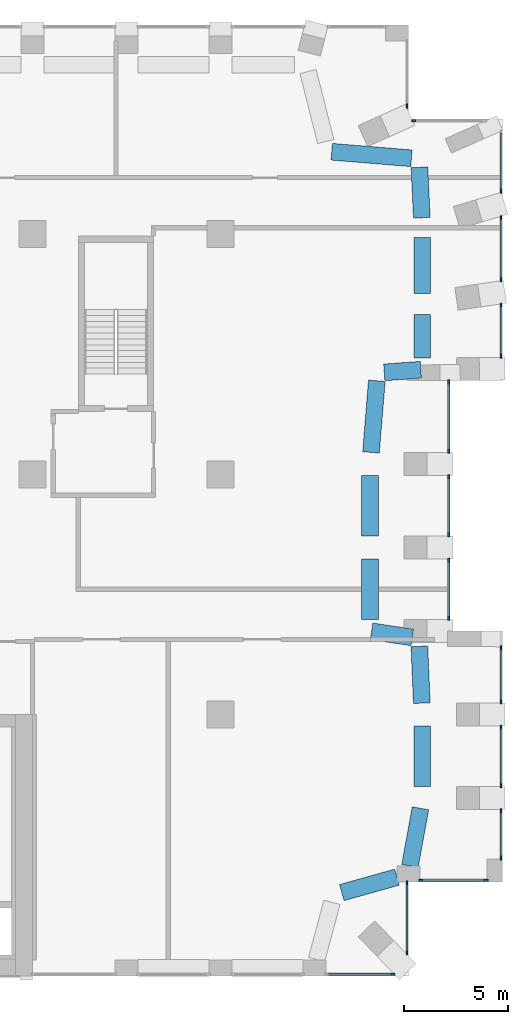
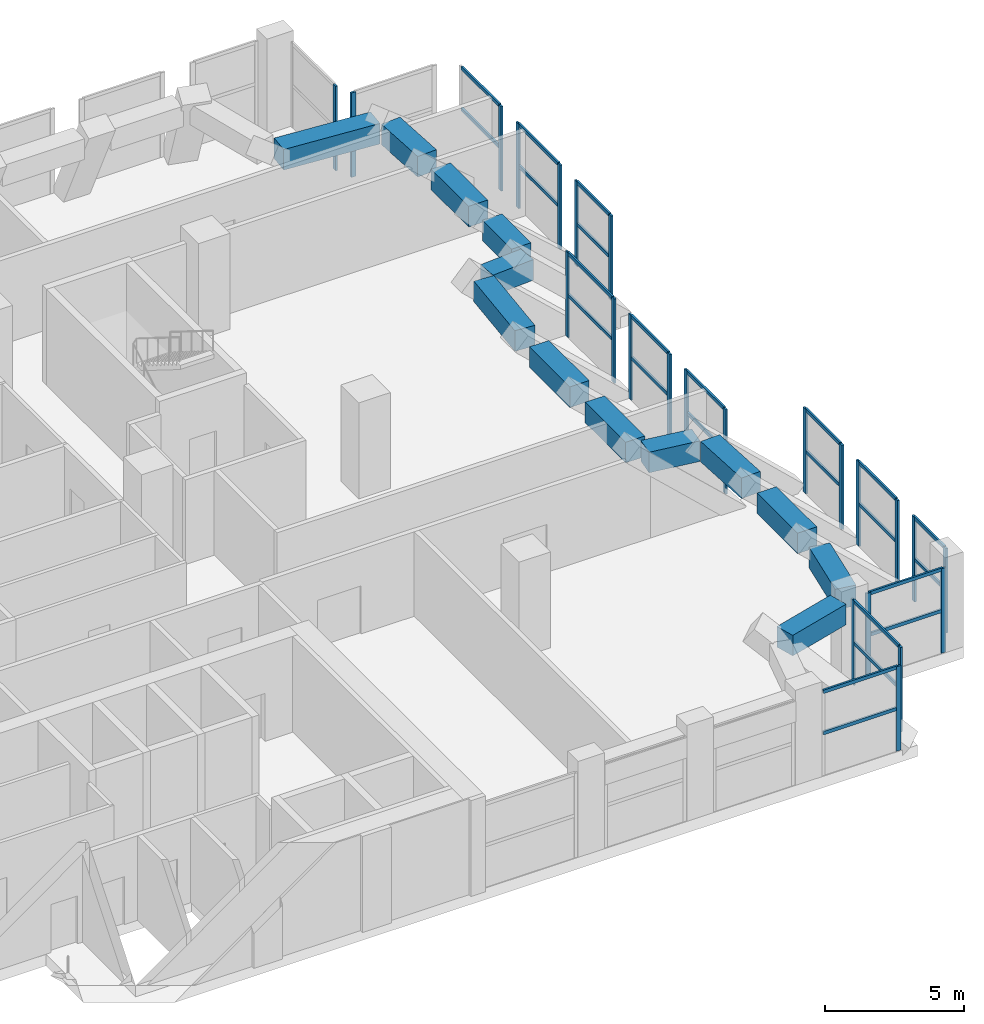
# One storey, part 10 of 20: 48 members, 13 beams, 14 elements without a shape of their own.
"""IFC4 building model written with IfcOpenShell, lengths in metres."""

from ifc_helpers import new_model, si_unit, direction, frame, origin, origin_2d, place, context, subcontext, project, spatial, rectangle, extrude, material, layer, layer_set, material_profile, profile_set, type_object, element, aggregate, save


model = new_model("IFC4")

# Units and contexts
model_context = context("Model", 3, precision=1e-05, world=origin(), true_north=direction((0.0, 1.0)))
body_context = subcontext(model_context, "Body", "Model", "MODEL_VIEW")
ifc_project = project(units=[si_unit("LENGTHUNIT", "METRE"), si_unit("AREAUNIT", "SQUARE_METRE"), si_unit("VOLUMEUNIT", "CUBIC_METRE"), si_unit("PLANEANGLEUNIT", "RADIAN"), si_unit("MASSUNIT", "GRAM", prefix="KILO")], contexts=[model_context])

# Site, building, storey
site_placement = place(None, origin())
site = spatial("IfcSite", under=ifc_project, at=site_placement, CompositionType="ELEMENT")
building_placement = place(site_placement, origin())
building = spatial("IfcBuilding", under=site, at=building_placement, Name="Brigalow Station Residences", CompositionType="ELEMENT")
storey_placement = place(building_placement, frame((0.0, 0.0, 137.10009765625)))
storey = spatial("IfcBuildingStorey", under=building, at=storey_placement, Name="L39", CompositionType="ELEMENT", Elevation=137.10009765625)

# Beams
ifc_material_1 = material(Name="Concrete C65", Category="concrete")
ifc_material_profile_1 = material_profile(ifc_material_1, rectangle(XDim=0.800048828125, YDim=0.89990234375, at=origin_2d()), Name="RC800x900")
ifc_profile_set_1 = profile_set([ifc_material_profile_1], Name="Concrete C65")
beam_type = type_object("IfcBeamType", Name="KINK TIE BEAM 800x900 C65", PredefinedType="BEAM", material=ifc_profile_set_1)
beam_1_placement = place(storey_placement, frame((68.80908203125, 3.982666015625, 3.25), z_axis=(0.963050887416, 0.269319491027, 0.0), x_axis=(-0.269319491027, 0.963050887416, 0.0)))
element("IfcBeam", 1, at=beam_1_placement, inside=storey, type_object=beam_type, Name="KINK TIE BEAM 5 L39", PredefinedType="BEAM", context=body_context, shape_type="SweptSolid", body=[
    extrude(rectangle(XDim=0.800048828125, YDim=0.89990234375, at=origin_2d()), origin(), (0.0, 0.0, 1.0), 2.7421875),
])
beam_2_placement = place(storey_placement, frame((72.06982421875, 5.2578125, 3.25), z_axis=(0.179696708888, 0.983722060754, 0.0), x_axis=(-0.983722060754, 0.179696708888, 0.0)))
element("IfcBeam", 2, at=beam_2_placement, inside=storey, type_object=beam_type, Name="KINK TIE BEAM 6 L39", PredefinedType="BEAM", context=body_context, shape_type="SweptSolid", body=[
    extrude(rectangle(XDim=0.800048828125, YDim=0.89990234375, at=origin_2d()), origin(), (0.0, 0.0, 1.0), 2.806884765625),
])
beam_3_placement = place(storey_placement, frame((72.662109375, 9.050048828125, 3.25), z_axis=(0.0, 1.0, 0.0), x_axis=(-1.0, 0.0, 0.0)))
element("IfcBeam", 3, at=beam_3_placement, inside=storey, type_object=beam_type, Name="KINK TIE BEAM 7 L39", PredefinedType="BEAM", context=body_context, shape_type="SweptSolid", body=[
    extrude(rectangle(XDim=0.800048828125, YDim=0.89990234375, at=origin_2d()), origin(), (0.0, 0.0, 1.0), 2.89990234375),
])
beam_4_placement = place(storey_placement, frame((72.638671875, 13.050048828125, 3.25), z_axis=(-0.042608065668, 0.999091864015, 0.0), x_axis=(-0.999091864015, -0.042608065668, 0.0)))
element("IfcBeam", 4, at=beam_4_placement, inside=storey, type_object=beam_type, Name="KINK TIE BEAM 8 L39", PredefinedType="BEAM", context=body_context, shape_type="SweptSolid", body=[
    extrude(rectangle(XDim=0.800048828125, YDim=0.89990234375, at=origin_2d()), origin(), (0.0, 0.0, 1.0), 2.7216796875),
])
beam_5_placement = place(storey_placement, frame((72.182373046875, 16.193603515625, 3.25), z_axis=(-0.988693244226, 0.149952221799, 0.0), x_axis=(-0.149952221799, -0.988693244226, 0.0)))
element("IfcBeam", 5, at=beam_5_placement, inside=storey, type_object=beam_type, Name="KINK TIE BEAM 9 L39", PredefinedType="BEAM", context=body_context, shape_type="SweptSolid", body=[
    extrude(rectangle(XDim=0.800048828125, YDim=0.89990234375, at=origin_2d()), origin(), (0.0, 0.0, 1.0), 1.969970703125),
])
for number, where, z_axis, x_axis, name in (
    (6, (70.162109375, 17.050048828125, 3.25), (0.0, 1.0, 0.0), (-1.0, 0.0, 0.0), "KINK TIE BEAM 10 L39"),
    (7, (70.162109375, 21.050048828125, 3.25), (0.0, 1.0, 0.0), (-1.0, 0.0, 0.0), "KINK TIE BEAM 11 L39"),
):
    element("IfcBeam", number, at=place(storey_placement, frame(where, z_axis=z_axis, x_axis=x_axis)), inside=storey, type_object=beam_type, Name=name, PredefinedType="BEAM", context=body_context, shape_type="SweptSolid", body=[
        extrude(rectangle(XDim=0.800048828125, YDim=0.89990234375, at=origin_2d()), origin(), (0.0, 0.0, 1.0), 2.89990234375),
    ])
beam_6_placement = place(storey_placement, frame((70.20703125, 25.050048828125, 3.25), z_axis=(0.081431034628, 0.996678978709, 0.0), x_axis=(-0.996678978709, 0.081431034628, 0.0)))
element("IfcBeam", 8, at=beam_6_placement, inside=storey, type_object=beam_type, Name="KINK TIE BEAM 12 L39", PredefinedType="BEAM", context=body_context, shape_type="SweptSolid", body=[
    extrude(rectangle(XDim=0.800048828125, YDim=0.89990234375, at=origin_2d()), origin(), (0.0, 0.0, 1.0), 3.44189453125),
])
beam_7_placement = place(storey_placement, frame((70.841552734375, 28.879150390625, 3.25), z_axis=(0.997375496086, 0.072402484807, 0.0), x_axis=(-0.072402484807, 0.997375496086, 0.0)))
element("IfcBeam", 9, at=beam_7_placement, inside=storey, type_object=beam_type, Name="KINK TIE BEAM 13 L39", PredefinedType="BEAM", context=body_context, shape_type="SweptSolid", body=[
    extrude(rectangle(XDim=0.800048828125, YDim=0.89990234375, at=origin_2d()), origin(), (0.0, 0.0, 1.0), 1.7568359375),
])
beam_8_placement = place(storey_placement, frame((72.662109375, 29.561279296875, 3.25), z_axis=(0.0, 1.0, 0.0), x_axis=(-1.0, 0.0, 0.0)))
element("IfcBeam", 10, at=beam_8_placement, inside=storey, type_object=beam_type, Name="KINK TIE BEAM 14 L39", PredefinedType="BEAM", context=body_context, shape_type="SweptSolid", body=[
    extrude(rectangle(XDim=0.800048828125, YDim=0.89990234375, at=origin_2d()), origin(), (0.0, 0.0, 1.0), 2.09130859375),
])
beam_9_placement = place(storey_placement, frame((72.662109375, 32.64599609375, 3.25), z_axis=(0.0, 1.0, 0.0), x_axis=(-1.0, 0.0, 0.0)))
element("IfcBeam", 11, at=beam_9_placement, inside=storey, type_object=beam_type, Name="KINK TIE BEAM 15 L39", PredefinedType="BEAM", context=body_context, shape_type="SweptSolid", body=[
    extrude(rectangle(XDim=0.800048828125, YDim=0.89990234375, at=origin_2d()), origin(), (0.0, 0.0, 1.0), 2.691650390625),
])
beam_10_placement = place(storey_placement, frame((72.6396484375, 36.277099609375, 3.25), z_axis=(-0.047205722328, 0.998885188487, 0.0), x_axis=(-0.998885188487, -0.047205722328, 0.0)))
element("IfcBeam", 12, at=beam_10_placement, inside=storey, type_object=beam_type, Name="KINK TIE BEAM 16 L39", PredefinedType="BEAM", context=body_context, shape_type="SweptSolid", body=[
    extrude(rectangle(XDim=0.800048828125, YDim=0.89990234375, at=origin_2d()), origin(), (0.0, 0.0, 1.0), 2.42041015625),
])
beam_11_placement = place(storey_placement, frame((72.142822265625, 39.12646484375, 3.25), z_axis=(-0.99666696447, 0.081577950055, 0.0), x_axis=(-0.081577950055, -0.99666696447, 0.0)))
element("IfcBeam", 13, at=beam_11_placement, inside=storey, type_object=beam_type, Name="KINK TIE BEAM 17 L39", PredefinedType="BEAM", context=body_context, shape_type="SweptSolid", body=[
    extrude(rectangle(XDim=0.800048828125, YDim=0.89990234375, at=origin_2d()), origin(), (0.0, 0.0, 1.0), 3.82763671875),
])

# Curtain wall, member
ifc_material_2 = material(Name="Aluminium", Category="aluminium")
ifc_layer = layer(ifc_material_2, 0.199951171875)
ifc_layer_set = layer_set([ifc_layer], Name="REFUGE FLOOR LOUVRE CURTAIN WALL")
curtain_wall_type = type_object("IfcCurtainWallType", Name="REFUGE FLOOR LOUVRE CURTAIN WALL", PredefinedType="NOTDEFINED", material=ifc_layer_set)
curtain_wall_1_placement = place(storey_placement, origin())
curtain_wall_1 = element("IfcCurtainWall", 14, at=curtain_wall_1_placement, inside=storey, type_object=curtain_wall_type, Name="L39/cw/louvre-W-L39-4-6", PredefinedType="NOTDEFINED")
ifc_material_3 = material(Name="Aluminium", Category="aluminium")
ifc_material_profile_2 = material_profile(ifc_material_3, rectangle(XDim=0.080078125, YDim=0.199951171875, at=origin_2d()), Name="REFUGE FLOOR LOUVRE MULLION 80x200")
ifc_profile_set_2 = profile_set([ifc_material_profile_2], Name="Aluminium")
member_type_1 = type_object("IfcMemberType", Name="REFUGE FLOOR LOUVRE MULLION 80x200", PredefinedType="MULLION", material=ifc_profile_set_2)
member_1_placement = place(storey_placement, frame((71.2509765625, 0.074951171875, 0.0), z_axis=(0.0, 0.0, 1.0), x_axis=(0.0, 1.0, 0.0)))
member_1 = element("IfcMember", 15, at=member_1_placement, type_object=member_type_1, Name="L39/cw/louvre-W-L39-4-6/M01", PredefinedType="MULLION", context=body_context, shape_type="SweptSolid", body=[
    extrude(rectangle(XDim=0.080078125, YDim=0.199951171875, at=origin_2d()), origin(), (0.0, 0.0, 1.0), 3.699951171875),
])

# Curtain wall, members
curtain_wall_2_placement = place(storey_placement, origin())
curtain_wall_2 = element("IfcCurtainWall", 16, at=curtain_wall_2_placement, inside=storey, type_object=curtain_wall_type, Name="L39/cw/louvre-W-L39-8-7", PredefinedType="NOTDEFINED")
member_2_placement = place(storey_placement, frame((71.925048828125, 1.1005859375, 0.0), z_axis=(0.0, 0.0, 1.0), x_axis=(-1.0, 0.0, 0.0)))
member_2 = element("IfcMember", 17, at=member_2_placement, type_object=member_type_1, Name="L39/cw/louvre-W-L39-8-7/M00", PredefinedType="MULLION", context=body_context, shape_type="SweptSolid", body=[
    extrude(rectangle(XDim=0.080078125, YDim=0.199951171875, at=origin_2d()), origin(), (0.0, 0.0, 1.0), 3.699951171875),
])
member_3_placement = place(storey_placement, frame((71.925048828125, 4.4599609375, 0.0), z_axis=(0.0, 0.0, 1.0), x_axis=(-1.0, 0.0, 0.0)))
member_3 = element("IfcMember", 18, at=member_3_placement, type_object=member_type_1, Name="L39/cw/louvre-W-L39-8-7/M01", PredefinedType="MULLION", context=body_context, shape_type="SweptSolid", body=[
    extrude(rectangle(XDim=0.080078125, YDim=0.199951171875, at=origin_2d()), origin(), (0.0, 0.0, 1.0), 3.699951171875),
])

curtain_wall_3_placement = place(storey_placement, origin())
curtain_wall_3 = element("IfcCurtainWall", 19, at=curtain_wall_3_placement, inside=storey, type_object=curtain_wall_type, Name="L39/cw/louvre-W-L39-9-8", PredefinedType="NOTDEFINED")
member_4_placement = place(storey_placement, frame((72.590087890625, 4.574951171875, 0.0), z_axis=(0.0, 0.0, 1.0), x_axis=(0.0, 1.0, 0.0)))
member_4 = element("IfcMember", 20, at=member_4_placement, type_object=member_type_1, Name="L39/cw/louvre-W-L39-9-8/M00", PredefinedType="MULLION", context=body_context, shape_type="SweptSolid", body=[
    extrude(rectangle(XDim=0.080078125, YDim=0.199951171875, at=origin_2d()), origin(), (0.0, 0.0, 1.0), 3.699951171875),
])
member_5_placement = place(storey_placement, frame((75.7099609375, 4.574951171875, 0.0), z_axis=(0.0, 0.0, 1.0), x_axis=(0.0, 1.0, 0.0)))
member_5 = element("IfcMember", 21, at=member_5_placement, type_object=member_type_1, Name="L39/cw/louvre-W-L39-9-8/M01", PredefinedType="MULLION", context=body_context, shape_type="SweptSolid", body=[
    extrude(rectangle(XDim=0.080078125, YDim=0.199951171875, at=origin_2d()), origin(), (0.0, 0.0, 1.0), 3.699951171875),
])

curtain_wall_4_placement = place(storey_placement, origin())
curtain_wall_4 = element("IfcCurtainWall", 22, at=curtain_wall_4_placement, inside=storey, type_object=curtain_wall_type, Name="L39/cw/louvre-W-L39-10-9", PredefinedType="NOTDEFINED")
member_6_placement = place(storey_placement, frame((76.425048828125, 5.639892578125, 0.0), z_axis=(0.0, 0.0, 1.0), x_axis=(-1.0, 0.0, 0.0)))
member_6 = element("IfcMember", 23, at=member_6_placement, type_object=member_type_1, Name="L39/cw/louvre-W-L39-10-9/M00", PredefinedType="MULLION", context=body_context, shape_type="SweptSolid", body=[
    extrude(rectangle(XDim=0.080078125, YDim=0.199951171875, at=origin_2d()), origin(), (0.0, 0.0, 1.0), 3.699951171875),
])
member_7_placement = place(storey_placement, frame((76.425048828125, 7.889892578125, 0.0), z_axis=(0.0, 0.0, 1.0), x_axis=(-1.0, 0.0, 0.0)))
member_7 = element("IfcMember", 24, at=member_7_placement, type_object=member_type_1, Name="L39/cw/louvre-W-L39-10-9/M01", PredefinedType="MULLION", context=body_context, shape_type="SweptSolid", body=[
    extrude(rectangle(XDim=0.080078125, YDim=0.199951171875, at=origin_2d()), origin(), (0.0, 0.0, 1.0), 3.699951171875),
])

curtain_wall_5_placement = place(storey_placement, origin())
curtain_wall_5 = element("IfcCurtainWall", 25, at=curtain_wall_5_placement, inside=storey, type_object=curtain_wall_type, Name="L39/cw/louvre-W-L39-10-10", PredefinedType="NOTDEFINED")
member_8_placement = place(storey_placement, frame((76.425048828125, 9.110107421875, 0.0), z_axis=(0.0, 0.0, 1.0), x_axis=(-1.0, 0.0, 0.0)))
member_8 = element("IfcMember", 26, at=member_8_placement, type_object=member_type_1, Name="L39/cw/louvre-W-L39-10-10/M00", PredefinedType="MULLION", context=body_context, shape_type="SweptSolid", body=[
    extrude(rectangle(XDim=0.080078125, YDim=0.199951171875, at=origin_2d()), origin(), (0.0, 0.0, 1.0), 3.699951171875),
])
member_9_placement = place(storey_placement, frame((76.425048828125, 11.889892578125, 0.0), z_axis=(0.0, 0.0, 1.0), x_axis=(-1.0, 0.0, 0.0)))
member_9 = element("IfcMember", 27, at=member_9_placement, type_object=member_type_1, Name="L39/cw/louvre-W-L39-10-10/M01", PredefinedType="MULLION", context=body_context, shape_type="SweptSolid", body=[
    extrude(rectangle(XDim=0.080078125, YDim=0.199951171875, at=origin_2d()), origin(), (0.0, 0.0, 1.0), 3.699951171875),
])

curtain_wall_6_placement = place(storey_placement, origin())
curtain_wall_6 = element("IfcCurtainWall", 28, at=curtain_wall_6_placement, inside=storey, type_object=curtain_wall_type, Name="L39/cw/louvre-W-L39-10-11", PredefinedType="NOTDEFINED")
member_10_placement = place(storey_placement, frame((76.425048828125, 13.110107421875, 0.0), z_axis=(0.0, 0.0, 1.0), x_axis=(-1.0, 0.0, 0.0)))
member_10 = element("IfcMember", 29, at=member_10_placement, type_object=member_type_1, Name="L39/cw/louvre-W-L39-10-11/M00", PredefinedType="MULLION", context=body_context, shape_type="SweptSolid", body=[
    extrude(rectangle(XDim=0.080078125, YDim=0.199951171875, at=origin_2d()), origin(), (0.0, 0.0, 1.0), 3.699951171875),
])
member_11_placement = place(storey_placement, frame((76.425048828125, 15.687255859375, 0.0), z_axis=(0.0, 0.0, 1.0), x_axis=(-1.0, 0.0, 0.0)))
member_11 = element("IfcMember", 30, at=member_11_placement, type_object=member_type_1, Name="L39/cw/louvre-W-L39-10-11/M01", PredefinedType="MULLION", context=body_context, shape_type="SweptSolid", body=[
    extrude(rectangle(XDim=0.080078125, YDim=0.199951171875, at=origin_2d()), origin(), (0.0, 0.0, 1.0), 3.699951171875),
])

curtain_wall_7_placement = place(storey_placement, origin())
curtain_wall_7 = element("IfcCurtainWall", 31, at=curtain_wall_7_placement, inside=storey, type_object=curtain_wall_type, Name="L39/cw/louvre-W-L39-14-12", PredefinedType="NOTDEFINED")
member_12_placement = place(storey_placement, frame((73.925048828125, 17.110107421875, 0.0), z_axis=(0.0, 0.0, 1.0), x_axis=(-1.0, 0.0, 0.0)))
member_12 = element("IfcMember", 32, at=member_12_placement, type_object=member_type_1, Name="L39/cw/louvre-W-L39-14-12/M00", PredefinedType="MULLION", context=body_context, shape_type="SweptSolid", body=[
    extrude(rectangle(XDim=0.080078125, YDim=0.199951171875, at=origin_2d()), origin(), (0.0, 0.0, 1.0), 3.699951171875),
])
member_13_placement = place(storey_placement, frame((73.925048828125, 19.889892578125, 0.0), z_axis=(0.0, 0.0, 1.0), x_axis=(-1.0, 0.0, 0.0)))
member_13 = element("IfcMember", 33, at=member_13_placement, type_object=member_type_1, Name="L39/cw/louvre-W-L39-14-12/M01", PredefinedType="MULLION", context=body_context, shape_type="SweptSolid", body=[
    extrude(rectangle(XDim=0.080078125, YDim=0.199951171875, at=origin_2d()), origin(), (0.0, 0.0, 1.0), 3.699951171875),
])

curtain_wall_8_placement = place(storey_placement, origin())
curtain_wall_8 = element("IfcCurtainWall", 34, at=curtain_wall_8_placement, inside=storey, type_object=curtain_wall_type, Name="L39/cw/louvre-W-L39-14-13", PredefinedType="NOTDEFINED")
member_14_placement = place(storey_placement, frame((73.925048828125, 21.110107421875, 0.0), z_axis=(0.0, 0.0, 1.0), x_axis=(-1.0, 0.0, 0.0)))
member_14 = element("IfcMember", 35, at=member_14_placement, type_object=member_type_1, Name="L39/cw/louvre-W-L39-14-13/M00", PredefinedType="MULLION", context=body_context, shape_type="SweptSolid", body=[
    extrude(rectangle(XDim=0.080078125, YDim=0.199951171875, at=origin_2d()), origin(), (0.0, 0.0, 1.0), 3.699951171875),
])
member_15_placement = place(storey_placement, frame((73.925048828125, 23.889892578125, 0.0), z_axis=(0.0, 0.0, 1.0), x_axis=(-1.0, 0.0, 0.0)))
member_15 = element("IfcMember", 36, at=member_15_placement, type_object=member_type_1, Name="L39/cw/louvre-W-L39-14-13/M01", PredefinedType="MULLION", context=body_context, shape_type="SweptSolid", body=[
    extrude(rectangle(XDim=0.080078125, YDim=0.199951171875, at=origin_2d()), origin(), (0.0, 0.0, 1.0), 3.699951171875),
])

curtain_wall_9_placement = place(storey_placement, origin())
curtain_wall_9 = element("IfcCurtainWall", 37, at=curtain_wall_9_placement, inside=storey, type_object=curtain_wall_type, Name="L39/cw/louvre-W-L39-14-14", PredefinedType="NOTDEFINED")
member_16_placement = place(storey_placement, frame((73.925048828125, 25.110107421875, 0.0), z_axis=(0.0, 0.0, 1.0), x_axis=(-1.0, 0.0, 0.0)))
member_16 = element("IfcMember", 38, at=member_16_placement, type_object=member_type_1, Name="L39/cw/louvre-W-L39-14-14/M00", PredefinedType="MULLION", context=body_context, shape_type="SweptSolid", body=[
    extrude(rectangle(XDim=0.080078125, YDim=0.199951171875, at=origin_2d()), origin(), (0.0, 0.0, 1.0), 3.699951171875),
])
member_17_placement = place(storey_placement, frame((73.925048828125, 28.415283203125, 0.0), z_axis=(0.0, 0.0, 1.0), x_axis=(-1.0, 0.0, 0.0)))
member_17 = element("IfcMember", 39, at=member_17_placement, type_object=member_type_1, Name="L39/cw/louvre-W-L39-14-14/M01", PredefinedType="MULLION", context=body_context, shape_type="SweptSolid", body=[
    extrude(rectangle(XDim=0.080078125, YDim=0.199951171875, at=origin_2d()), origin(), (0.0, 0.0, 1.0), 3.699951171875),
])

curtain_wall_10_placement = place(storey_placement, origin())
curtain_wall_10 = element("IfcCurtainWall", 40, at=curtain_wall_10_placement, inside=storey, type_object=curtain_wall_type, Name="L39/cw/louvre-W-L39-18-15", PredefinedType="NOTDEFINED")
member_18_placement = place(storey_placement, frame((76.425048828125, 29.663330078125, 0.0), z_axis=(0.0, 0.0, 1.0), x_axis=(-1.0, 0.0, 0.0)))
member_18 = element("IfcMember", 41, at=member_18_placement, type_object=member_type_1, Name="L39/cw/louvre-W-L39-18-15/M00", PredefinedType="MULLION", context=body_context, shape_type="SweptSolid", body=[
    extrude(rectangle(XDim=0.080078125, YDim=0.199951171875, at=origin_2d()), origin(), (0.0, 0.0, 1.0), 3.699951171875),
])
member_19_placement = place(storey_placement, frame((76.425048828125, 32.095458984375, 0.0), z_axis=(0.0, 0.0, 1.0), x_axis=(-1.0, 0.0, 0.0)))
member_19 = element("IfcMember", 42, at=member_19_placement, type_object=member_type_1, Name="L39/cw/louvre-W-L39-18-15/M01", PredefinedType="MULLION", context=body_context, shape_type="SweptSolid", body=[
    extrude(rectangle(XDim=0.080078125, YDim=0.199951171875, at=origin_2d()), origin(), (0.0, 0.0, 1.0), 3.699951171875),
])

curtain_wall_11_placement = place(storey_placement, origin())
curtain_wall_11 = element("IfcCurtainWall", 43, at=curtain_wall_11_placement, inside=storey, type_object=curtain_wall_type, Name="L39/cw/louvre-W-L39-18-16", PredefinedType="NOTDEFINED")
member_20_placement = place(storey_placement, frame((76.425048828125, 33.327880859375, 0.0), z_axis=(0.0, 0.0, 1.0), x_axis=(-1.0, 0.0, 0.0)))
member_20 = element("IfcMember", 44, at=member_20_placement, type_object=member_type_1, Name="L39/cw/louvre-W-L39-18-16/M00", PredefinedType="MULLION", context=body_context, shape_type="SweptSolid", body=[
    extrude(rectangle(XDim=0.080078125, YDim=0.199951171875, at=origin_2d()), origin(), (0.0, 0.0, 1.0), 3.699951171875),
])
member_21_placement = place(storey_placement, frame((76.425048828125, 36.28759765625, 0.0), z_axis=(0.0, 0.0, 1.0), x_axis=(-1.0, 0.0, 0.0)))
member_21 = element("IfcMember", 45, at=member_21_placement, type_object=member_type_1, Name="L39/cw/louvre-W-L39-18-16/M01", PredefinedType="MULLION", context=body_context, shape_type="SweptSolid", body=[
    extrude(rectangle(XDim=0.080078125, YDim=0.199951171875, at=origin_2d()), origin(), (0.0, 0.0, 1.0), 3.699951171875),
])

# Curtain wall, member
curtain_wall_12_placement = place(storey_placement, origin())
curtain_wall_12 = element("IfcCurtainWall", 46, at=curtain_wall_12_placement, inside=storey, type_object=curtain_wall_type, Name="L39/cw/louvre-W-L39-18-17", PredefinedType="NOTDEFINED")
member_22_placement = place(storey_placement, frame((76.425048828125, 37.55712890625, 0.0), z_axis=(0.0, 0.0, 1.0), x_axis=(-1.0, 0.0, 0.0)))
member_22 = element("IfcMember", 47, at=member_22_placement, type_object=member_type_1, Name="L39/cw/louvre-W-L39-18-17/M00", PredefinedType="MULLION", context=body_context, shape_type="SweptSolid", body=[
    extrude(rectangle(XDim=0.080078125, YDim=0.199951171875, at=origin_2d()), origin(), (0.0, 0.0, 1.0), 3.699951171875),
])

curtain_wall_13_placement = place(storey_placement, origin())
curtain_wall_13 = element("IfcCurtainWall", 48, at=curtain_wall_13_placement, inside=storey, type_object=curtain_wall_type, Name="L39/cw/louvre-W-L39-21-18", PredefinedType="NOTDEFINED")
member_23_placement = place(storey_placement, frame((72.26025390625, 40.925048828125, 0.0), z_axis=(0.0, 0.0, 1.0), x_axis=(0.0, -1.0, 0.0)))
member_23 = element("IfcMember", 49, at=member_23_placement, type_object=member_type_1, Name="L39/cw/louvre-W-L39-21-18/M01", PredefinedType="MULLION", context=body_context, shape_type="SweptSolid", body=[
    extrude(rectangle(XDim=0.080078125, YDim=0.199951171875, at=origin_2d()), origin(), (0.0, 0.0, 1.0), 3.699951171875),
])
aggregate(curtain_wall_13, [member_23])

curtain_wall_14_placement = place(storey_placement, origin())
curtain_wall_14 = element("IfcCurtainWall", 50, at=curtain_wall_14_placement, inside=storey, type_object=curtain_wall_type, Name="L39/cw/louvre-W-L39-22-19", PredefinedType="NOTDEFINED")
member_24_placement = place(storey_placement, frame((71.925048828125, 41.62548828125, 0.0), z_axis=(0.0, 0.0, 1.0), x_axis=(-1.0, 0.0, 0.0)))
member_24 = element("IfcMember", 51, at=member_24_placement, type_object=member_type_1, Name="L39/cw/louvre-W-L39-22-19/M00", PredefinedType="MULLION", context=body_context, shape_type="SweptSolid", body=[
    extrude(rectangle(XDim=0.080078125, YDim=0.199951171875, at=origin_2d()), origin(), (0.0, 0.0, 1.0), 3.699951171875),
])
aggregate(curtain_wall_14, [member_24])

# Member
ifc_material_4 = material(Name="Aluminium", Category="aluminium")
ifc_material_profile_3 = material_profile(ifc_material_4, rectangle(XDim=0.080078125, YDim=0.14990234375, at=origin_2d()), Name="REFUGE FLOOR LOUVRE TRANSOM 80x150")
ifc_profile_set_3 = profile_set([ifc_material_profile_3], Name="Aluminium")
member_type_2 = type_object("IfcMemberType", Name="REFUGE FLOOR LOUVRE TRANSOM 80x150", PredefinedType="USERDEFINED", material=ifc_profile_set_3)
member_25_placement = place(storey_placement, frame((68.1298828125, 0.074951171875, 1.849853515625), z_axis=(1.0, 0.0, 0.0), x_axis=(0.0, 1.0, 0.0)))
member_25 = element("IfcMember", 52, at=member_25_placement, type_object=member_type_2, Name="L39/cw/louvre-W-L39-4-6/T00-00", ObjectType="TRANSOM", PredefinedType="USERDEFINED", context=body_context, shape_type="SweptSolid", body=[
    extrude(rectangle(XDim=0.080078125, YDim=0.14990234375, at=origin_2d()), origin(), (0.0, 0.0, 1.0), 3.0810546875),
])

member_26_placement = place(storey_placement, frame((68.1298828125, 0.074951171875, 3.659912109375), z_axis=(1.0, 0.0, 0.0), x_axis=(0.0, 1.0, 0.0)))
member_26 = element("IfcMember", 53, at=member_26_placement, type_object=member_type_2, Name="L39/cw/louvre-W-L39-4-6/T00-01", ObjectType="TRANSOM", PredefinedType="USERDEFINED", context=body_context, shape_type="SweptSolid", body=[
    extrude(rectangle(XDim=0.080078125, YDim=0.14990234375, at=origin_2d()), origin(), (0.0, 0.0, 1.0), 3.0810546875),
])

aggregate(curtain_wall_1, [member_1, member_25, member_26])

member_27_placement = place(storey_placement, frame((71.925048828125, 1.140625, 1.849853515625), z_axis=(0.0, 1.0, 0.0), x_axis=(-1.0, 0.0, 0.0)))
member_27 = element("IfcMember", 54, at=member_27_placement, type_object=member_type_2, Name="L39/cw/louvre-W-L39-8-7/T00-00", ObjectType="TRANSOM", PredefinedType="USERDEFINED", context=body_context, shape_type="SweptSolid", body=[
    extrude(rectangle(XDim=0.080078125, YDim=0.14990234375, at=origin_2d()), origin(), (0.0, 0.0, 1.0), 3.279296875),
])

member_28_placement = place(storey_placement, frame((71.925048828125, 1.140625, 3.659912109375), z_axis=(0.0, 1.0, 0.0), x_axis=(-1.0, 0.0, 0.0)))
member_28 = element("IfcMember", 55, at=member_28_placement, type_object=member_type_2, Name="L39/cw/louvre-W-L39-8-7/T00-01", ObjectType="TRANSOM", PredefinedType="USERDEFINED", context=body_context, shape_type="SweptSolid", body=[
    extrude(rectangle(XDim=0.080078125, YDim=0.14990234375, at=origin_2d()), origin(), (0.0, 0.0, 1.0), 3.279296875),
])

aggregate(curtain_wall_2, [member_2, member_3, member_27, member_28])

member_29_placement = place(storey_placement, frame((72.6298828125, 4.574951171875, 1.849853515625), z_axis=(1.0, 0.0, 0.0), x_axis=(0.0, 1.0, 0.0)))
member_29 = element("IfcMember", 56, at=member_29_placement, type_object=member_type_2, Name="L39/cw/louvre-W-L39-9-8/T00-00", ObjectType="TRANSOM", PredefinedType="USERDEFINED", context=body_context, shape_type="SweptSolid", body=[
    extrude(rectangle(XDim=0.080078125, YDim=0.14990234375, at=origin_2d()), origin(), (0.0, 0.0, 1.0), 3.0400390625),
])

member_30_placement = place(storey_placement, frame((72.6298828125, 4.574951171875, 3.659912109375), z_axis=(1.0, 0.0, 0.0), x_axis=(0.0, 1.0, 0.0)))
member_30 = element("IfcMember", 57, at=member_30_placement, type_object=member_type_2, Name="L39/cw/louvre-W-L39-9-8/T00-01", ObjectType="TRANSOM", PredefinedType="USERDEFINED", context=body_context, shape_type="SweptSolid", body=[
    extrude(rectangle(XDim=0.080078125, YDim=0.14990234375, at=origin_2d()), origin(), (0.0, 0.0, 1.0), 3.0400390625),
])

aggregate(curtain_wall_3, [member_4, member_5, member_29, member_30])

member_31_placement = place(storey_placement, frame((76.425048828125, 5.679931640625, 1.849853515625), z_axis=(0.0, 1.0, 0.0), x_axis=(-1.0, 0.0, 0.0)))
member_31 = element("IfcMember", 58, at=member_31_placement, type_object=member_type_2, Name="L39/cw/louvre-W-L39-10-9/T00-00", ObjectType="TRANSOM", PredefinedType="USERDEFINED", context=body_context, shape_type="SweptSolid", body=[
    extrude(rectangle(XDim=0.080078125, YDim=0.14990234375, at=origin_2d()), origin(), (0.0, 0.0, 1.0), 2.170166015625),
])

member_32_placement = place(storey_placement, frame((76.425048828125, 5.679931640625, 3.659912109375), z_axis=(0.0, 1.0, 0.0), x_axis=(-1.0, 0.0, 0.0)))
member_32 = element("IfcMember", 59, at=member_32_placement, type_object=member_type_2, Name="L39/cw/louvre-W-L39-10-9/T00-01", ObjectType="TRANSOM", PredefinedType="USERDEFINED", context=body_context, shape_type="SweptSolid", body=[
    extrude(rectangle(XDim=0.080078125, YDim=0.14990234375, at=origin_2d()), origin(), (0.0, 0.0, 1.0), 2.170166015625),
])

aggregate(curtain_wall_4, [member_6, member_7, member_31, member_32])

member_33_placement = place(storey_placement, frame((76.425048828125, 9.14990234375, 1.849853515625), z_axis=(0.0, 1.0, 0.0), x_axis=(-1.0, 0.0, 0.0)))
member_33 = element("IfcMember", 60, at=member_33_placement, type_object=member_type_2, Name="L39/cw/louvre-W-L39-10-10/T00-00", ObjectType="TRANSOM", PredefinedType="USERDEFINED", context=body_context, shape_type="SweptSolid", body=[
    extrude(rectangle(XDim=0.080078125, YDim=0.14990234375, at=origin_2d()), origin(), (0.0, 0.0, 1.0), 2.7001953125),
])

member_34_placement = place(storey_placement, frame((76.425048828125, 9.14990234375, 3.659912109375), z_axis=(0.0, 1.0, 0.0), x_axis=(-1.0, 0.0, 0.0)))
member_34 = element("IfcMember", 61, at=member_34_placement, type_object=member_type_2, Name="L39/cw/louvre-W-L39-10-10/T00-01", ObjectType="TRANSOM", PredefinedType="USERDEFINED", context=body_context, shape_type="SweptSolid", body=[
    extrude(rectangle(XDim=0.080078125, YDim=0.14990234375, at=origin_2d()), origin(), (0.0, 0.0, 1.0), 2.7001953125),
])

aggregate(curtain_wall_5, [member_8, member_9, member_33, member_34])

member_35_placement = place(storey_placement, frame((76.425048828125, 13.14990234375, 1.849853515625), z_axis=(0.0, 1.0, 0.0), x_axis=(-1.0, 0.0, 0.0)))
member_35 = element("IfcMember", 62, at=member_35_placement, type_object=member_type_2, Name="L39/cw/louvre-W-L39-10-11/T00-00", ObjectType="TRANSOM", PredefinedType="USERDEFINED", context=body_context, shape_type="SweptSolid", body=[
    extrude(rectangle(XDim=0.080078125, YDim=0.14990234375, at=origin_2d()), origin(), (0.0, 0.0, 1.0), 2.497314453125),
])

member_36_placement = place(storey_placement, frame((76.425048828125, 13.14990234375, 3.659912109375), z_axis=(0.0, 1.0, 0.0), x_axis=(-1.0, 0.0, 0.0)))
member_36 = element("IfcMember", 63, at=member_36_placement, type_object=member_type_2, Name="L39/cw/louvre-W-L39-10-11/T00-01", ObjectType="TRANSOM", PredefinedType="USERDEFINED", context=body_context, shape_type="SweptSolid", body=[
    extrude(rectangle(XDim=0.080078125, YDim=0.14990234375, at=origin_2d()), origin(), (0.0, 0.0, 1.0), 2.497314453125),
])

aggregate(curtain_wall_6, [member_10, member_11, member_35, member_36])

member_37_placement = place(storey_placement, frame((73.925048828125, 17.14990234375, 1.849853515625), z_axis=(0.0, 1.0, 0.0), x_axis=(-1.0, 0.0, 0.0)))
member_37 = element("IfcMember", 64, at=member_37_placement, type_object=member_type_2, Name="L39/cw/louvre-W-L39-14-12/T00-00", ObjectType="TRANSOM", PredefinedType="USERDEFINED", context=body_context, shape_type="SweptSolid", body=[
    extrude(rectangle(XDim=0.080078125, YDim=0.14990234375, at=origin_2d()), origin(), (0.0, 0.0, 1.0), 2.7001953125),
])

member_38_placement = place(storey_placement, frame((73.925048828125, 17.14990234375, 3.659912109375), z_axis=(0.0, 1.0, 0.0), x_axis=(-1.0, 0.0, 0.0)))
member_38 = element("IfcMember", 65, at=member_38_placement, type_object=member_type_2, Name="L39/cw/louvre-W-L39-14-12/T00-01", ObjectType="TRANSOM", PredefinedType="USERDEFINED", context=body_context, shape_type="SweptSolid", body=[
    extrude(rectangle(XDim=0.080078125, YDim=0.14990234375, at=origin_2d()), origin(), (0.0, 0.0, 1.0), 2.7001953125),
])

aggregate(curtain_wall_7, [member_12, member_13, member_37, member_38])

member_39_placement = place(storey_placement, frame((73.925048828125, 21.14990234375, 1.849853515625), z_axis=(0.0, 1.0, 0.0), x_axis=(-1.0, 0.0, 0.0)))
member_39 = element("IfcMember", 66, at=member_39_placement, type_object=member_type_2, Name="L39/cw/louvre-W-L39-14-13/T00-00", ObjectType="TRANSOM", PredefinedType="USERDEFINED", context=body_context, shape_type="SweptSolid", body=[
    extrude(rectangle(XDim=0.080078125, YDim=0.14990234375, at=origin_2d()), origin(), (0.0, 0.0, 1.0), 2.7001953125),
])

member_40_placement = place(storey_placement, frame((73.925048828125, 21.14990234375, 3.659912109375), z_axis=(0.0, 1.0, 0.0), x_axis=(-1.0, 0.0, 0.0)))
member_40 = element("IfcMember", 67, at=member_40_placement, type_object=member_type_2, Name="L39/cw/louvre-W-L39-14-13/T00-01", ObjectType="TRANSOM", PredefinedType="USERDEFINED", context=body_context, shape_type="SweptSolid", body=[
    extrude(rectangle(XDim=0.080078125, YDim=0.14990234375, at=origin_2d()), origin(), (0.0, 0.0, 1.0), 2.7001953125),
])

aggregate(curtain_wall_8, [member_14, member_15, member_39, member_40])

member_41_placement = place(storey_placement, frame((73.925048828125, 25.14990234375, 1.849853515625), z_axis=(0.0, 1.0, 0.0), x_axis=(-1.0, 0.0, 0.0)))
member_41 = element("IfcMember", 68, at=member_41_placement, type_object=member_type_2, Name="L39/cw/louvre-W-L39-14-14/T00-00", ObjectType="TRANSOM", PredefinedType="USERDEFINED", context=body_context, shape_type="SweptSolid", body=[
    extrude(rectangle(XDim=0.080078125, YDim=0.14990234375, at=origin_2d()), origin(), (0.0, 0.0, 1.0), 3.2255859375),
])

member_42_placement = place(storey_placement, frame((73.925048828125, 25.14990234375, 3.659912109375), z_axis=(0.0, 1.0, 0.0), x_axis=(-1.0, 0.0, 0.0)))
member_42 = element("IfcMember", 69, at=member_42_placement, type_object=member_type_2, Name="L39/cw/louvre-W-L39-14-14/T00-01", ObjectType="TRANSOM", PredefinedType="USERDEFINED", context=body_context, shape_type="SweptSolid", body=[
    extrude(rectangle(XDim=0.080078125, YDim=0.14990234375, at=origin_2d()), origin(), (0.0, 0.0, 1.0), 3.2255859375),
])

aggregate(curtain_wall_9, [member_16, member_17, member_41, member_42])

member_43_placement = place(storey_placement, frame((76.425048828125, 29.703369140625, 1.849853515625), z_axis=(0.0, 1.0, 0.0), x_axis=(-1.0, 0.0, 0.0)))
member_43 = element("IfcMember", 70, at=member_43_placement, type_object=member_type_2, Name="L39/cw/louvre-W-L39-18-15/T00-00", ObjectType="TRANSOM", PredefinedType="USERDEFINED", context=body_context, shape_type="SweptSolid", body=[
    extrude(rectangle(XDim=0.080078125, YDim=0.14990234375, at=origin_2d()), origin(), (0.0, 0.0, 1.0), 2.35205078125),
])

member_44_placement = place(storey_placement, frame((76.425048828125, 29.703369140625, 3.659912109375), z_axis=(0.0, 1.0, 0.0), x_axis=(-1.0, 0.0, 0.0)))
member_44 = element("IfcMember", 71, at=member_44_placement, type_object=member_type_2, Name="L39/cw/louvre-W-L39-18-15/T00-01", ObjectType="TRANSOM", PredefinedType="USERDEFINED", context=body_context, shape_type="SweptSolid", body=[
    extrude(rectangle(XDim=0.080078125, YDim=0.14990234375, at=origin_2d()), origin(), (0.0, 0.0, 1.0), 2.35205078125),
])

aggregate(curtain_wall_10, [member_18, member_19, member_43, member_44])

member_45_placement = place(storey_placement, frame((76.425048828125, 33.367919921875, 1.849853515625), z_axis=(0.0, 1.0, 0.0), x_axis=(-1.0, 0.0, 0.0)))
member_45 = element("IfcMember", 72, at=member_45_placement, type_object=member_type_2, Name="L39/cw/louvre-W-L39-18-16/T00-00", ObjectType="TRANSOM", PredefinedType="USERDEFINED", context=body_context, shape_type="SweptSolid", body=[
    extrude(rectangle(XDim=0.080078125, YDim=0.14990234375, at=origin_2d()), origin(), (0.0, 0.0, 1.0), 2.8798828125),
])

member_46_placement = place(storey_placement, frame((76.425048828125, 33.367919921875, 3.659912109375), z_axis=(0.0, 1.0, 0.0), x_axis=(-1.0, 0.0, 0.0)))
member_46 = element("IfcMember", 73, at=member_46_placement, type_object=member_type_2, Name="L39/cw/louvre-W-L39-18-16/T00-01", ObjectType="TRANSOM", PredefinedType="USERDEFINED", context=body_context, shape_type="SweptSolid", body=[
    extrude(rectangle(XDim=0.080078125, YDim=0.14990234375, at=origin_2d()), origin(), (0.0, 0.0, 1.0), 2.8798828125),
])

aggregate(curtain_wall_11, [member_20, member_21, member_45, member_46])

member_47_placement = place(storey_placement, frame((76.425048828125, 37.59716796875, 1.849853515625), z_axis=(0.0, 1.0, 0.0), x_axis=(-1.0, 0.0, 0.0)))
member_47 = element("IfcMember", 74, at=member_47_placement, type_object=member_type_2, Name="L39/cw/louvre-W-L39-18-17/T00-00", ObjectType="TRANSOM", PredefinedType="USERDEFINED", context=body_context, shape_type="SweptSolid", body=[
    extrude(rectangle(XDim=0.080078125, YDim=0.14990234375, at=origin_2d()), origin(), (0.0, 0.0, 1.0), 2.726318359375),
])

member_48_placement = place(storey_placement, frame((76.425048828125, 37.59716796875, 3.659912109375), z_axis=(0.0, 1.0, 0.0), x_axis=(-1.0, 0.0, 0.0)))
member_48 = element("IfcMember", 75, at=member_48_placement, type_object=member_type_2, Name="L39/cw/louvre-W-L39-18-17/T00-01", ObjectType="TRANSOM", PredefinedType="USERDEFINED", context=body_context, shape_type="SweptSolid", body=[
    extrude(rectangle(XDim=0.080078125, YDim=0.14990234375, at=origin_2d()), origin(), (0.0, 0.0, 1.0), 2.726318359375),
])

aggregate(curtain_wall_12, [member_22, member_47, member_48])

save(model, "model.ifc")
